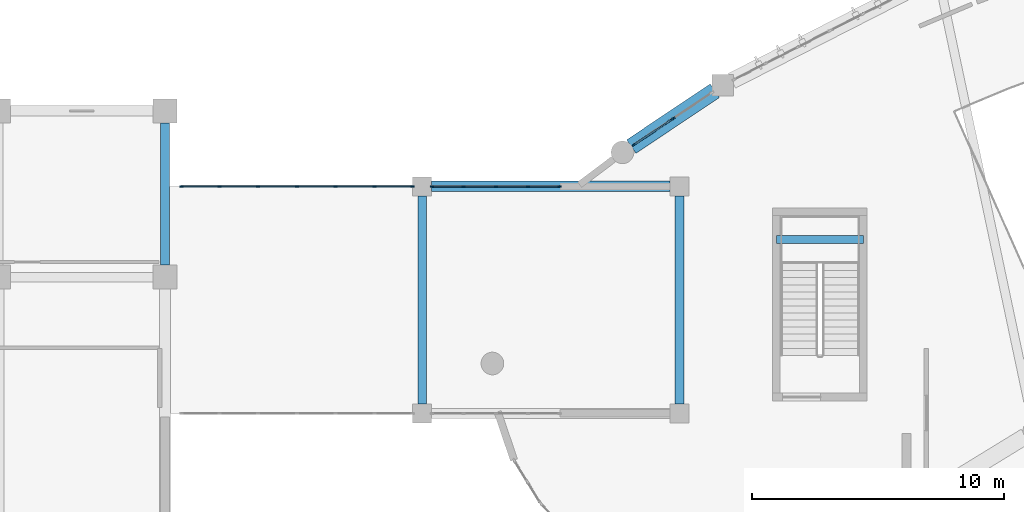
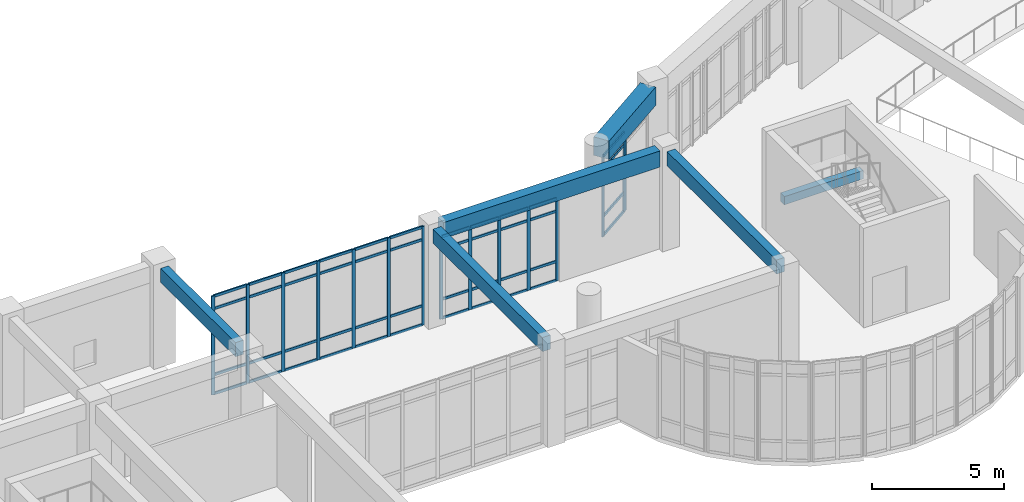
# One storey, part 9 of 68: 59 members, 6 beams, 4 elements without a shape of their own.
"""IFC4 building model written with IfcOpenShell, lengths in metres."""

import ifcopenshell
import ifcopenshell.guid

model = None  # the IFC model being written
_history = None  # IfcOwnerHistory: only IFC2X3 demands one
_inside = {}  # id of a spatial element -> (the spatial element, [elements in it])
_under = {}  # id of a project, library or spatial element -> (it, [spatial elements below it])
_declared = {}  # id of a project -> (the project, [libraries it declares])
_typed = {}  # id of a type object -> (the type object, [elements of that type])
_made_of = {}  # id of a material, layer set ... -> (it, [elements and type objects made of it])


def new_model(schema):
    """Start an empty IFC model of exactly this schema.

    Asked for "IFC4X3", IfcOpenShell would pick the latest addendum, in which some entities
    have other attributes; the version numbers below select the first issue.
    IFC2X3 requires an IfcOwnerHistory on every rooted entity: one is made here for all.
    """
    global model, _history
    if schema == "IFC4X3":
        model = ifcopenshell.file(schema_version=(4, 3, 0, 0))
    else:
        model = ifcopenshell.file(schema=schema)
    _inside.clear()
    _under.clear()
    _declared.clear()
    _typed.clear()
    _made_of.clear()
    _history = None
    if model.schema == "IFC2X3":
        org = make("IfcOrganization", Name="unknown")
        user = make(
            "IfcPersonAndOrganization",
            ThePerson=make("IfcPerson", FamilyName="unknown"),
            TheOrganization=org,
        )
        app = make(
            "IfcApplication",
            ApplicationDeveloper=org,
            Version="unknown",
            ApplicationFullName="unknown",
            ApplicationIdentifier="unknown",
        )
        _history = make(
            "IfcOwnerHistory",
            OwningUser=user,
            OwningApplication=app,
            ChangeAction="ADDED",
            CreationDate=0,
        )
    return model


def make(cls, **values):
    """One entity of the class cls with the attributes given. An attribute that is None is left unset."""
    return model.create_entity(
        cls, **{name: value for name, value in values.items() if value is not None}
    )


def rooted(cls, **values):
    """An entity with a GlobalId (a new one), such as an element, a storey or a relation."""
    return make(cls, GlobalId=ifcopenshell.guid.new(), OwnerHistory=_history, **values)


def si_unit(unit_type, name, prefix=None):
    """IfcSIUnit, for example si_unit("LENGTHUNIT", "METRE", prefix="MILLI")."""
    return make("IfcSIUnit", UnitType=unit_type, Prefix=prefix, Name=name)


def assignment(units):
    """IfcUnitAssignment: the units of a project."""
    return None if units is None else make("IfcUnitAssignment", Units=units)


def point(xyz):
    """IfcCartesianPoint."""
    return None if xyz is None else make("IfcCartesianPoint", Coordinates=xyz)


def direction(xyz):
    """IfcDirection."""
    return None if xyz is None else make("IfcDirection", DirectionRatios=xyz)


def frame(location, z_axis=None, x_axis=None):
    """IfcAxis2Placement3D, a coordinate frame: its origin and axes. An axis left out is left unset."""
    return make(
        "IfcAxis2Placement3D",
        Location=point(location),
        Axis=direction(z_axis),
        RefDirection=direction(x_axis),
    )


def frame_2d(location, x_axis=None):
    """IfcAxis2Placement2D, a coordinate frame in the plane: its origin and x axis."""
    return make(
        "IfcAxis2Placement2D", Location=point(location), RefDirection=direction(x_axis)
    )


def origin():
    """The frame at (0, 0, 0) with its axes left unset."""
    return frame((0.0, 0.0, 0.0))


def origin_2d():
    """The frame at (0, 0) in the plane with its x axis left unset."""
    return frame_2d((0.0, 0.0))


def place(relative_to, where):
    """IfcLocalPlacement: puts the frame where relative to a parent placement (None: the world)."""
    return make(
        "IfcLocalPlacement", PlacementRelTo=relative_to, RelativePlacement=where
    )


def context(
    kind, dimensions, precision=None, world=None, true_north=None, identifier=None
):
    """IfcGeometricRepresentationContext, for example the 3D "Model" context."""
    return make(
        "IfcGeometricRepresentationContext",
        ContextIdentifier=identifier,
        ContextType=kind,
        CoordinateSpaceDimension=dimensions,
        Precision=precision,
        WorldCoordinateSystem=world,
        TrueNorth=true_north,
    )


def subcontext(parent, identifier, kind, view, scale=None):
    """IfcGeometricRepresentationSubContext, for example "Body" below "Model"."""
    return make(
        "IfcGeometricRepresentationSubContext",
        ContextIdentifier=identifier,
        ContextType=kind,
        ParentContext=parent,
        TargetScale=scale,
        TargetView=view,
    )


def project(units=None, contexts=None):
    """IfcProject with its units and contexts."""
    return rooted(
        "IfcProject",
        Name="project",
        RepresentationContexts=contexts,
        UnitsInContext=assignment(units),
    )


def spatial(cls, under=None, at=None, **own):
    """A site, building, storey or space (cls), placed at a placement, below another one or the project."""
    s = rooted(cls, ObjectPlacement=at, **own)
    if under is not None:
        _under.setdefault(under.id(), (under, []))[1].append(s)
    return s


def profile(cls, at=None, kind="AREA", **sizes):
    """A parametric profile (cls). Its sizes go by their IFC names, for example OverallWidth=200.0."""
    return make(cls, ProfileType=kind, Position=at, **sizes)


def rectangle(**sizes):
    """IfcRectangleProfileDef."""
    return profile("IfcRectangleProfileDef", **sizes)


def extrude(swept, where, along, depth):
    """IfcExtrudedAreaSolid: the profile swept, set in the frame where, extruded along a direction by depth."""
    return make(
        "IfcExtrudedAreaSolid",
        SweptArea=swept,
        Position=where,
        ExtrudedDirection=direction(along),
        Depth=depth,
    )


def shape(context_of_items, identifier, shape_type, items):
    """IfcShapeRepresentation: the items that make up one representation, for example the "Body"."""
    return make(
        "IfcShapeRepresentation",
        ContextOfItems=context_of_items,
        RepresentationIdentifier=identifier,
        RepresentationType=shape_type,
        Items=items,
    )


def material(Name=None, Category=None):
    """IfcMaterial."""
    return make("IfcMaterial", Name=Name, Category=Category)


def layer(
    of_material, thickness, ventilated=None, Name=None, Category=None, Priority=None
):
    """IfcMaterialLayer: one layer of a wall or slab, of a material (None: an air gap)."""
    return make(
        "IfcMaterialLayer",
        Material=of_material,
        LayerThickness=thickness,
        IsVentilated=ventilated,
        Name=Name,
        Category=Category,
        Priority=Priority,
    )


def layer_set(layers, Name=None):
    """IfcMaterialLayerSet."""
    return make("IfcMaterialLayerSet", MaterialLayers=layers, LayerSetName=Name)


def material_profile(
    of_material, cross_section, Name=None, Category=None, Priority=None
):
    """IfcMaterialProfile: a cross section and its material."""
    return make(
        "IfcMaterialProfile",
        Name=Name,
        Material=of_material,
        Profile=cross_section,
        Priority=Priority,
        Category=Category,
    )


def profile_set(profiles, Name=None, composite=None):
    """IfcMaterialProfileSet."""
    return make(
        "IfcMaterialProfileSet",
        Name=Name,
        MaterialProfiles=profiles,
        CompositeProfile=composite,
    )


def made_of(thing, what):
    """Note that an element or type object is made of a material, layer set ...; save() writes the relation."""
    if what is not None:
        _made_of.setdefault(what.id(), (what, []))[1].append(thing)
    return thing


def type_object(cls, material=None, **own):
    """A type object (cls), such as IfcWallType, which elements share."""
    return made_of(rooted(cls, **own), material)


def element(
    cls,
    number,
    at=None,
    inside=None,
    cuts=None,
    type_object=None,
    material=None,
    context=None,
    identifier="Body",
    shape_type=None,
    held_by="IfcProductDefinitionShape",
    body=None,
    shapes=None,
    **own,
):
    """One element of the class cls, such as IfcWall. Its Tag is "e" and its number.

    at: its placement. inside: the storey or other place that contains it. cuts: it is an
    opening in that element (IfcRelVoidsElement). A single representation is given by context,
    identifier, shape_type and body (its items); several are given by shapes. held_by: the class
    of the entity that holds the representations. save() writes the other relations.
    """
    e = rooted(cls, Tag="e%d" % number, ObjectPlacement=at, **own)
    if body is not None:
        shapes = [shape(context, identifier, shape_type, body)]
    if shapes is not None:
        e.Representation = make(held_by, Representations=shapes)
    if inside is not None:
        _inside.setdefault(inside.id(), (inside, []))[1].append(e)
    if cuts is not None:
        rooted(
            "IfcRelVoidsElement", RelatingBuildingElement=cuts, RelatedOpeningElement=e
        )
    if type_object is not None:
        _typed.setdefault(type_object.id(), (type_object, []))[1].append(e)
    return made_of(e, material)


def aggregate(whole, parts):
    """IfcRelAggregates: a whole, such as a stair, and the parts it consists of."""
    return rooted("IfcRelAggregates", RelatingObject=whole, RelatedObjects=parts)


def save(model, path):
    """Write the relations noted so far, then the file.

    IfcRelAggregates (storeys below a building ...), IfcRelContainedInSpatialStructure (elements
    in a storey), IfcRelDefinesByType, IfcRelAssociatesMaterial and IfcRelDeclares: one each for
    every whole, place, type object, material and project.
    """
    for whole, parts in _under.values():
        aggregate(whole, parts)
    for where, things in _inside.values():
        rooted(
            "IfcRelContainedInSpatialStructure",
            RelatedElements=things,
            RelatingStructure=where,
        )
    for kind, things in _typed.values():
        rooted("IfcRelDefinesByType", RelatedObjects=things, RelatingType=kind)
    for what, things in _made_of.values():
        rooted("IfcRelAssociatesMaterial", RelatedObjects=things, RelatingMaterial=what)
    for by, libraries in _declared.values():
        rooted("IfcRelDeclares", RelatingContext=by, RelatedDefinitions=libraries)
    model.write(path)


model = new_model("IFC4")

# Units and contexts
model_context = context("Model", 3, precision=1e-05, world=origin(), true_north=direction((0.0, 1.0)))
body_context = subcontext(model_context, "Body", "Model", "MODEL_VIEW")
ifc_project = project(units=[si_unit("LENGTHUNIT", "METRE"), si_unit("AREAUNIT", "SQUARE_METRE"), si_unit("VOLUMEUNIT", "CUBIC_METRE"), si_unit("PLANEANGLEUNIT", "RADIAN"), si_unit("MASSUNIT", "GRAM", prefix="KILO")], contexts=[model_context])

# Site, building, storey
site_placement = place(None, origin())
site = spatial("IfcSite", under=ifc_project, at=site_placement, CompositionType="ELEMENT")
building_placement = place(site_placement, origin())
building = spatial("IfcBuilding", under=site, at=building_placement, Name="Miralva Faculty of Natural Sciences", CompositionType="ELEMENT")
storey_placement = place(building_placement, frame((0.0, 0.0, 5.39990234375)))
storey = spatial("IfcBuildingStorey", under=building, at=storey_placement, Name="L01", CompositionType="ELEMENT", Elevation=5.39990234375)

# Beams
ifc_material_1 = material(Name="Concrete C40/50", Category="concrete")
ifc_material_profile_1 = material_profile(ifc_material_1, rectangle(XDim=0.35009765625, YDim=0.64990234375, at=origin_2d()), Name="RC 350x650")
ifc_profile_set_1 = profile_set([ifc_material_profile_1], Name="Concrete C40/50")
beam_type_1 = type_object("IfcBeamType", Name="BM-B05", PredefinedType="BEAM", material=ifc_profile_set_1)
beam_1_placement = place(storey_placement, frame((36.0, 23.875, 4.235107421875), z_axis=(0.0, 1.0, 0.0), x_axis=(-1.0, 0.0, 0.0)))
element("IfcBeam", 1, at=beam_1_placement, inside=storey, type_object=beam_type_1, Name="Girder NS L01-145", PredefinedType="BEAM", context=body_context, shape_type="SweptSolid", body=[
    extrude(rectangle(XDim=0.35009765625, YDim=0.64990234375, at=origin_2d()), origin(), (0.0, 0.0, 1.0), 5.64990234375),
])
for number, where, z_axis, x_axis, name in (
    (2, (46.199951171875, 18.375, 4.235107421875), (0.0, 1.0, 0.0), (-1.0, 0.0, 0.0), "Girder NS L01-148"),
    (3, (56.39990234375, 18.375, 4.235107421875), (0.0, 1.0, 0.0), (-1.0, 0.0, 0.0), "Girder NS L01-151"),
):
    element("IfcBeam", number, at=place(storey_placement, frame(where, z_axis=z_axis, x_axis=x_axis)), inside=storey, type_object=beam_type_1, Name=name, PredefinedType="BEAM", context=body_context, shape_type="SweptSolid", body=[
        extrude(rectangle(XDim=0.35009765625, YDim=0.64990234375, at=origin_2d()), origin(), (0.0, 0.0, 1.0), 8.25),
    ])
ifc_material_profile_2 = material_profile(ifc_material_1, rectangle(XDim=0.419921875, YDim=0.739990234375, at=origin_2d()), Name="RC 420x740")
ifc_profile_set_2 = profile_set([ifc_material_profile_2], Name="Concrete C40/50")
beam_type_2 = type_object("IfcBeamType", Name="BM-BG11", PredefinedType="BEAM", material=ifc_profile_set_2)
beam_2_placement = place(storey_placement, frame((46.574951171875, 27.0, 4.190185546875), z_axis=(1.0, 0.0, 0.0), x_axis=(0.0, 1.0, 0.0)))
element("IfcBeam", 4, at=beam_2_placement, inside=storey, type_object=beam_type_2, Name="Girder EW L01-31", PredefinedType="BEAM", context=body_context, shape_type="SweptSolid", body=[
    extrude(rectangle(XDim=0.419921875, YDim=0.739990234375, at=origin_2d()), origin(), (0.0, 0.0, 1.0), 9.449951171875),
])
ifc_material_profile_3 = material_profile(ifc_material_1, rectangle(XDim=0.300048828125, YDim=0.3798828125, at=origin_2d()), Name="RC 300x380")
ifc_profile_set_3 = profile_set([ifc_material_profile_3], Name="Concrete C40/50")
beam_type_3 = type_object("IfcBeamType", Name="BM-LND01", PredefinedType="BEAM", material=ifc_profile_set_3)
beam_3_placement = place(storey_placement, frame((60.25, 24.89501953125, 2.02001953125), z_axis=(1.0, 0.0, 0.0), x_axis=(0.0, 1.0, 0.0)))
element("IfcBeam", 5, at=beam_3_placement, inside=storey, type_object=beam_type_3, Name="Stair Core C6 half-landing support beam L01", PredefinedType="BEAM", context=body_context, shape_type="SweptSolid", body=[
    extrude(rectangle(XDim=0.300048828125, YDim=0.3798828125, at=origin_2d()), origin(), (0.0, 0.0, 1.0), 3.449951171875),
])
ifc_material_profile_4 = material_profile(ifc_material_1, rectangle(XDim=0.64990234375, YDim=0.85009765625, at=origin_2d()), Name="RC 650x850")
ifc_profile_set_4 = profile_set([ifc_material_profile_4], Name="Concrete C40/50")
beam_type_4 = type_object("IfcBeamType", Name="BM-SP03", PredefinedType="SPANDREL", material=ifc_profile_set_4)
beam_4_placement = place(storey_placement, frame((57.804931640625, 30.792724609375, 4.135009765625), z_axis=(-0.831417795146, -0.555647775047, 0.0), x_axis=(0.555647775047, -0.831417795146, 0.0)))
element("IfcBeam", 6, at=beam_4_placement, inside=storey, type_object=beam_type_4, Name="Curved chord girder SHOUT L01-9", PredefinedType="SPANDREL", context=body_context, shape_type="SweptSolid", body=[
    extrude(rectangle(XDim=0.64990234375, YDim=0.85009765625, at=origin_2d()), origin(), (0.0, 0.0, 1.0), 3.982177734375),
])

# Curtain wall, members
ifc_material_2 = material(Name="Laminated solar-control glass", Category="glass")
ifc_layer_1 = layer(ifc_material_2, 0.179931640625, Name="CW-ARC-L01")
ifc_layer_set_1 = layer_set([ifc_layer_1], Name="Laminated solar-control glass")
curtain_wall_type_1 = type_object("IfcCurtainWallType", Name="CW-ARC-L01", PredefinedType="USERDEFINED", material=ifc_layer_set_1)
curtain_wall_1_placement = place(storey_placement, origin())
curtain_wall_1 = element("IfcCurtainWall", 7, at=curtain_wall_1_placement, inside=storey, type_object=curtain_wall_type_1, Name="Curtain wall CW-02 L01-31", ObjectType="UNITISED CURTAIN WALL", PredefinedType="USERDEFINED")
ifc_material_3 = material(Name="Anodised aluminium", Category="aluminium")
ifc_material_profile_5 = material_profile(ifc_material_3, rectangle(XDim=0.06494140625, YDim=0.159912109375, at=origin_2d()), Name="MULLION 65x160")
ifc_profile_set_5 = profile_set([ifc_material_profile_5], Name="Anodised aluminium")
member_type_1 = type_object("IfcMemberType", Name="CW-M02", PredefinedType="MULLION", material=ifc_profile_set_5)
member_1_placement = place(storey_placement, frame((54.608642578125, 28.65966796875, 0.0), z_axis=(0.0, 0.0, 1.0), x_axis=(-0.555563826036, 0.831473893276, 0.0)))
member_1 = element("IfcMember", 8, at=member_1_placement, type_object=member_type_1, Name="CW-02 mullion 1", PredefinedType="MULLION", context=body_context, shape_type="SweptSolid", body=[
    extrude(rectangle(XDim=0.06494140625, YDim=0.159912109375, at=origin_2d()), origin(), (0.0, 0.0, 1.0), 3.705078125),
])
member_2_placement = place(storey_placement, frame((56.109375, 29.662353515625, 0.0), z_axis=(0.0, 0.0, 1.0), x_axis=(-0.555563826036, 0.831473893276, 0.0)))
member_2 = element("IfcMember", 9, at=member_2_placement, type_object=member_type_1, Name="CW-02 mullion 2", PredefinedType="MULLION", context=body_context, shape_type="SweptSolid", body=[
    extrude(rectangle(XDim=0.06494140625, YDim=0.159912109375, at=origin_2d()), origin(), (0.0, 0.0, 1.0), 3.705078125),
])

# Curtain wall, member
curtain_wall_2_placement = place(storey_placement, origin())
curtain_wall_2 = element("IfcCurtainWall", 10, at=curtain_wall_2_placement, inside=storey, type_object=curtain_wall_type_1, Name="Curtain wall CW-02 L01-32", ObjectType="UNITISED CURTAIN WALL", PredefinedType="USERDEFINED")
member_3_placement = place(storey_placement, frame((56.1591796875, 29.69580078125, 0.0), z_axis=(0.0, 0.0, 1.0), x_axis=(-0.555560018644, 0.831476437239, 0.0)))
member_3 = element("IfcMember", 11, at=member_3_placement, type_object=member_type_1, Name="CW-02 mullion 1", PredefinedType="MULLION", context=body_context, shape_type="SweptSolid", body=[
    extrude(rectangle(XDim=0.06494140625, YDim=0.159912109375, at=origin_2d()), origin(), (0.0, 0.0, 1.0), 3.705078125),
])
aggregate(curtain_wall_2, [member_3])

# Curtain wall, members
ifc_layer_2 = layer(ifc_material_2, 0.179931640625, Name="CW-COM-L01")
ifc_layer_set_2 = layer_set([ifc_layer_2], Name="Laminated solar-control glass")
curtain_wall_type_2 = type_object("IfcCurtainWallType", Name="CW-COM-L01", PredefinedType="USERDEFINED", material=ifc_layer_set_2)
curtain_wall_3_placement = place(storey_placement, origin())
curtain_wall_3 = element("IfcCurtainWall", 12, at=curtain_wall_3_placement, inside=storey, type_object=curtain_wall_type_2, Name="Curtain wall CW-10 L01-291", ObjectType="UNITISED CURTAIN WALL", PredefinedType="USERDEFINED")
ifc_material_profile_6 = material_profile(ifc_material_3, rectangle(XDim=0.06005859375, YDim=0.139892578125, at=origin_2d()), Name="MULLION 60x140")
ifc_profile_set_6 = profile_set([ifc_material_profile_6], Name="Anodised aluminium")
member_type_2 = type_object("IfcMemberType", Name="CW-M03", PredefinedType="MULLION", material=ifc_profile_set_6)
member_4_placement = place(storey_placement, frame((36.64990234375, 27.0, 0.0), z_axis=(0.0, 0.0, 1.0), x_axis=(0.0, 1.0, 0.0)))
member_4 = element("IfcMember", 13, at=member_4_placement, type_object=member_type_2, Name="CW-10 mullion 1", PredefinedType="MULLION", context=body_context, shape_type="SweptSolid", body=[
    extrude(rectangle(XDim=0.06005859375, YDim=0.139892578125, at=origin_2d()), origin(), (0.0, 0.0, 1.0), 4.550048828125),
])
member_5_placement = place(storey_placement, frame((38.157470703125, 27.0, 0.0), z_axis=(0.0, 0.0, 1.0), x_axis=(0.0, 1.0, 0.0)))
member_5 = element("IfcMember", 14, at=member_5_placement, type_object=member_type_2, Name="CW-10 mullion 2", PredefinedType="MULLION", context=body_context, shape_type="SweptSolid", body=[
    extrude(rectangle(XDim=0.06005859375, YDim=0.139892578125, at=origin_2d()), origin(), (0.0, 0.0, 1.0), 4.550048828125),
])
member_6_placement = place(storey_placement, frame((39.695068359375, 27.0, 0.0), z_axis=(0.0, 0.0, 1.0), x_axis=(0.0, 1.0, 0.0)))
member_6 = element("IfcMember", 15, at=member_6_placement, type_object=member_type_2, Name="CW-10 mullion 3", PredefinedType="MULLION", context=body_context, shape_type="SweptSolid", body=[
    extrude(rectangle(XDim=0.06005859375, YDim=0.139892578125, at=origin_2d()), origin(), (0.0, 0.0, 1.0), 4.550048828125),
])
member_7_placement = place(storey_placement, frame((41.232421875, 27.0, 0.0), z_axis=(0.0, 0.0, 1.0), x_axis=(0.0, 1.0, 0.0)))
member_7 = element("IfcMember", 16, at=member_7_placement, type_object=member_type_2, Name="CW-10 mullion 4", PredefinedType="MULLION", context=body_context, shape_type="SweptSolid", body=[
    extrude(rectangle(XDim=0.06005859375, YDim=0.139892578125, at=origin_2d()), origin(), (0.0, 0.0, 1.0), 4.550048828125),
])
member_8_placement = place(storey_placement, frame((42.77001953125, 27.0, 0.0), z_axis=(0.0, 0.0, 1.0), x_axis=(0.0, 1.0, 0.0)))
member_8 = element("IfcMember", 17, at=member_8_placement, type_object=member_type_2, Name="CW-10 mullion 5", PredefinedType="MULLION", context=body_context, shape_type="SweptSolid", body=[
    extrude(rectangle(XDim=0.06005859375, YDim=0.139892578125, at=origin_2d()), origin(), (0.0, 0.0, 1.0), 4.550048828125),
])
member_9_placement = place(storey_placement, frame((44.3076171875, 27.0, 0.0), z_axis=(0.0, 0.0, 1.0), x_axis=(0.0, 1.0, 0.0)))
member_9 = element("IfcMember", 18, at=member_9_placement, type_object=member_type_2, Name="CW-10 mullion 6", PredefinedType="MULLION", context=body_context, shape_type="SweptSolid", body=[
    extrude(rectangle(XDim=0.06005859375, YDim=0.139892578125, at=origin_2d()), origin(), (0.0, 0.0, 1.0), 4.550048828125),
])
member_10_placement = place(storey_placement, frame((45.81494140625, 27.0, 0.0), z_axis=(0.0, 0.0, 1.0), x_axis=(0.0, 1.0, 0.0)))
member_10 = element("IfcMember", 19, at=member_10_placement, type_object=member_type_2, Name="CW-10 mullion 7", PredefinedType="MULLION", context=body_context, shape_type="SweptSolid", body=[
    extrude(rectangle(XDim=0.06005859375, YDim=0.139892578125, at=origin_2d()), origin(), (0.0, 0.0, 1.0), 4.550048828125),
])

curtain_wall_4_placement = place(storey_placement, origin())
curtain_wall_4 = element("IfcCurtainWall", 20, at=curtain_wall_4_placement, inside=storey, type_object=curtain_wall_type_2, Name="Curtain wall CW-10 L01-292", ObjectType="UNITISED CURTAIN WALL", PredefinedType="USERDEFINED")
member_11_placement = place(storey_placement, frame((46.594970703125, 27.0, 0.0), z_axis=(0.0, 0.0, 1.0), x_axis=(0.0, 1.0, 0.0)))
member_11 = element("IfcMember", 21, at=member_11_placement, type_object=member_type_2, Name="CW-10 mullion 1", PredefinedType="MULLION", context=body_context, shape_type="SweptSolid", body=[
    extrude(rectangle(XDim=0.06005859375, YDim=0.139892578125, at=origin_2d()), origin(), (0.0, 0.0, 1.0), 3.815185546875),
])
member_12_placement = place(storey_placement, frame((47.84375, 27.0, 0.0), z_axis=(0.0, 0.0, 1.0), x_axis=(0.0, 1.0, 0.0)))
member_12 = element("IfcMember", 22, at=member_12_placement, type_object=member_type_2, Name="CW-10 mullion 2", PredefinedType="MULLION", context=body_context, shape_type="SweptSolid", body=[
    extrude(rectangle(XDim=0.06005859375, YDim=0.139892578125, at=origin_2d()), origin(), (0.0, 0.0, 1.0), 3.815185546875),
])
member_13_placement = place(storey_placement, frame((49.12255859375, 27.0, 0.0), z_axis=(0.0, 0.0, 1.0), x_axis=(0.0, 1.0, 0.0)))
member_13 = element("IfcMember", 23, at=member_13_placement, type_object=member_type_2, Name="CW-10 mullion 3", PredefinedType="MULLION", context=body_context, shape_type="SweptSolid", body=[
    extrude(rectangle(XDim=0.06005859375, YDim=0.139892578125, at=origin_2d()), origin(), (0.0, 0.0, 1.0), 3.815185546875),
])
member_14_placement = place(storey_placement, frame((50.4013671875, 27.0, 0.0), z_axis=(0.0, 0.0, 1.0), x_axis=(0.0, 1.0, 0.0)))
member_14 = element("IfcMember", 24, at=member_14_placement, type_object=member_type_2, Name="CW-10 mullion 4", PredefinedType="MULLION", context=body_context, shape_type="SweptSolid", body=[
    extrude(rectangle(XDim=0.06005859375, YDim=0.139892578125, at=origin_2d()), origin(), (0.0, 0.0, 1.0), 3.815185546875),
])
member_15_placement = place(storey_placement, frame((51.64990234375, 27.0, 0.0), z_axis=(0.0, 0.0, 1.0), x_axis=(0.0, 1.0, 0.0)))
member_15 = element("IfcMember", 25, at=member_15_placement, type_object=member_type_2, Name="CW-10 mullion 5", PredefinedType="MULLION", context=body_context, shape_type="SweptSolid", body=[
    extrude(rectangle(XDim=0.06005859375, YDim=0.139892578125, at=origin_2d()), origin(), (0.0, 0.0, 1.0), 3.815185546875),
])

# Member
ifc_material_profile_7 = material_profile(ifc_material_3, rectangle(XDim=0.06005859375, YDim=0.1201171875, at=origin_2d()), Name="TRANSOM 60x120")
ifc_profile_set_7 = profile_set([ifc_material_profile_7], Name="Anodised aluminium")
member_type_3 = type_object("IfcMemberType", Name="CW-T02", PredefinedType="USERDEFINED", material=ifc_profile_set_7)
member_16_placement = place(storey_placement, frame((54.6357421875, 28.677734375, 0.030029296875), z_axis=(0.8314669175, 0.555574266056, 0.0), x_axis=(-0.555574266056, 0.8314669175, 0.0)))
member_16 = element("IfcMember", 26, at=member_16_placement, type_object=member_type_3, Name="CW-02 transom 1.1", ObjectType="TRANSOM", PredefinedType="USERDEFINED", context=body_context, shape_type="SweptSolid", body=[
    extrude(rectangle(XDim=0.06005859375, YDim=0.1201171875, at=origin_2d()), origin(), (0.0, 0.0, 1.0), 1.73974609375),
])

member_17_placement = place(storey_placement, frame((54.6357421875, 28.677734375, 0.900146484375), z_axis=(0.8314669175, 0.555574266056, 0.0), x_axis=(-0.555574266056, 0.8314669175, 0.0)))
member_17 = element("IfcMember", 27, at=member_17_placement, type_object=member_type_3, Name="CW-02 transom 1.2", ObjectType="TRANSOM", PredefinedType="USERDEFINED", context=body_context, shape_type="SweptSolid", body=[
    extrude(rectangle(XDim=0.06005859375, YDim=0.1201171875, at=origin_2d()), origin(), (0.0, 0.0, 1.0), 1.73974609375),
])

member_18_placement = place(storey_placement, frame((54.6357421875, 28.677734375, 3.10498046875), z_axis=(0.8314669175, 0.555574266056, 0.0), x_axis=(-0.555574266056, 0.8314669175, 0.0)))
member_18 = element("IfcMember", 28, at=member_18_placement, type_object=member_type_3, Name="CW-02 transom 1.3", ObjectType="TRANSOM", PredefinedType="USERDEFINED", context=body_context, shape_type="SweptSolid", body=[
    extrude(rectangle(XDim=0.06005859375, YDim=0.1201171875, at=origin_2d()), origin(), (0.0, 0.0, 1.0), 1.73974609375),
])

member_19_placement = place(storey_placement, frame((54.6357421875, 28.677734375, 3.675048828125), z_axis=(0.8314669175, 0.555574266056, 0.0), x_axis=(-0.555574266056, 0.8314669175, 0.0)))
member_19 = element("IfcMember", 29, at=member_19_placement, type_object=member_type_3, Name="CW-02 transom 1.4", ObjectType="TRANSOM", PredefinedType="USERDEFINED", context=body_context, shape_type="SweptSolid", body=[
    extrude(rectangle(XDim=0.06005859375, YDim=0.1201171875, at=origin_2d()), origin(), (0.0, 0.0, 1.0), 1.73974609375),
])

aggregate(curtain_wall_1, [member_1, member_2, member_16, member_17, member_18, member_19])

member_20_placement = place(storey_placement, frame((36.679931640625, 27.0, 0.030029296875), z_axis=(1.0, 0.0, 0.0), x_axis=(0.0, 1.0, 0.0)))
member_20 = element("IfcMember", 30, at=member_20_placement, type_object=member_type_3, Name="CW-10 transom 1.1", ObjectType="TRANSOM", PredefinedType="USERDEFINED", context=body_context, shape_type="SweptSolid", body=[
    extrude(rectangle(XDim=0.06005859375, YDim=0.1201171875, at=origin_2d()), origin(), (0.0, 0.0, 1.0), 1.447509765625),
])

member_21_placement = place(storey_placement, frame((36.679931640625, 27.0, 0.900146484375), z_axis=(1.0, 0.0, 0.0), x_axis=(0.0, 1.0, 0.0)))
member_21 = element("IfcMember", 31, at=member_21_placement, type_object=member_type_3, Name="CW-10 transom 1.2", ObjectType="TRANSOM", PredefinedType="USERDEFINED", context=body_context, shape_type="SweptSolid", body=[
    extrude(rectangle(XDim=0.06005859375, YDim=0.1201171875, at=origin_2d()), origin(), (0.0, 0.0, 1.0), 1.447509765625),
])

member_22_placement = place(storey_placement, frame((36.679931640625, 27.0, 3.9501953125), z_axis=(1.0, 0.0, 0.0), x_axis=(0.0, 1.0, 0.0)))
member_22 = element("IfcMember", 32, at=member_22_placement, type_object=member_type_3, Name="CW-10 transom 1.3", ObjectType="TRANSOM", PredefinedType="USERDEFINED", context=body_context, shape_type="SweptSolid", body=[
    extrude(rectangle(XDim=0.06005859375, YDim=0.1201171875, at=origin_2d()), origin(), (0.0, 0.0, 1.0), 1.447509765625),
])

member_23_placement = place(storey_placement, frame((36.679931640625, 27.0, 4.52001953125), z_axis=(1.0, 0.0, 0.0), x_axis=(0.0, 1.0, 0.0)))
member_23 = element("IfcMember", 33, at=member_23_placement, type_object=member_type_3, Name="CW-10 transom 1.4", ObjectType="TRANSOM", PredefinedType="USERDEFINED", context=body_context, shape_type="SweptSolid", body=[
    extrude(rectangle(XDim=0.06005859375, YDim=0.1201171875, at=origin_2d()), origin(), (0.0, 0.0, 1.0), 1.447509765625),
])

member_24_placement = place(storey_placement, frame((38.1875, 27.0, 0.030029296875), z_axis=(1.0, 0.0, 0.0), x_axis=(0.0, 1.0, 0.0)))
member_24 = element("IfcMember", 34, at=member_24_placement, type_object=member_type_3, Name="CW-10 transom 2.1", ObjectType="TRANSOM", PredefinedType="USERDEFINED", context=body_context, shape_type="SweptSolid", body=[
    extrude(rectangle(XDim=0.06005859375, YDim=0.1201171875, at=origin_2d()), origin(), (0.0, 0.0, 1.0), 1.4775390625),
])

member_25_placement = place(storey_placement, frame((38.1875, 27.0, 0.900146484375), z_axis=(1.0, 0.0, 0.0), x_axis=(0.0, 1.0, 0.0)))
member_25 = element("IfcMember", 35, at=member_25_placement, type_object=member_type_3, Name="CW-10 transom 2.2", ObjectType="TRANSOM", PredefinedType="USERDEFINED", context=body_context, shape_type="SweptSolid", body=[
    extrude(rectangle(XDim=0.06005859375, YDim=0.1201171875, at=origin_2d()), origin(), (0.0, 0.0, 1.0), 1.4775390625),
])

member_26_placement = place(storey_placement, frame((38.1875, 27.0, 3.9501953125), z_axis=(1.0, 0.0, 0.0), x_axis=(0.0, 1.0, 0.0)))
member_26 = element("IfcMember", 36, at=member_26_placement, type_object=member_type_3, Name="CW-10 transom 2.3", ObjectType="TRANSOM", PredefinedType="USERDEFINED", context=body_context, shape_type="SweptSolid", body=[
    extrude(rectangle(XDim=0.06005859375, YDim=0.1201171875, at=origin_2d()), origin(), (0.0, 0.0, 1.0), 1.4775390625),
])

member_27_placement = place(storey_placement, frame((38.1875, 27.0, 4.52001953125), z_axis=(1.0, 0.0, 0.0), x_axis=(0.0, 1.0, 0.0)))
member_27 = element("IfcMember", 37, at=member_27_placement, type_object=member_type_3, Name="CW-10 transom 2.4", ObjectType="TRANSOM", PredefinedType="USERDEFINED", context=body_context, shape_type="SweptSolid", body=[
    extrude(rectangle(XDim=0.06005859375, YDim=0.1201171875, at=origin_2d()), origin(), (0.0, 0.0, 1.0), 1.4775390625),
])

member_28_placement = place(storey_placement, frame((39.72509765625, 27.0, 0.030029296875), z_axis=(1.0, 0.0, 0.0), x_axis=(0.0, 1.0, 0.0)))
member_28 = element("IfcMember", 38, at=member_28_placement, type_object=member_type_3, Name="CW-10 transom 3.1", ObjectType="TRANSOM", PredefinedType="USERDEFINED", context=body_context, shape_type="SweptSolid", body=[
    extrude(rectangle(XDim=0.06005859375, YDim=0.1201171875, at=origin_2d()), origin(), (0.0, 0.0, 1.0), 1.477294921875),
])

member_29_placement = place(storey_placement, frame((39.72509765625, 27.0, 0.900146484375), z_axis=(1.0, 0.0, 0.0), x_axis=(0.0, 1.0, 0.0)))
member_29 = element("IfcMember", 39, at=member_29_placement, type_object=member_type_3, Name="CW-10 transom 3.2", ObjectType="TRANSOM", PredefinedType="USERDEFINED", context=body_context, shape_type="SweptSolid", body=[
    extrude(rectangle(XDim=0.06005859375, YDim=0.1201171875, at=origin_2d()), origin(), (0.0, 0.0, 1.0), 1.477294921875),
])

member_30_placement = place(storey_placement, frame((39.72509765625, 27.0, 3.9501953125), z_axis=(1.0, 0.0, 0.0), x_axis=(0.0, 1.0, 0.0)))
member_30 = element("IfcMember", 40, at=member_30_placement, type_object=member_type_3, Name="CW-10 transom 3.3", ObjectType="TRANSOM", PredefinedType="USERDEFINED", context=body_context, shape_type="SweptSolid", body=[
    extrude(rectangle(XDim=0.06005859375, YDim=0.1201171875, at=origin_2d()), origin(), (0.0, 0.0, 1.0), 1.477294921875),
])

member_31_placement = place(storey_placement, frame((39.72509765625, 27.0, 4.52001953125), z_axis=(1.0, 0.0, 0.0), x_axis=(0.0, 1.0, 0.0)))
member_31 = element("IfcMember", 41, at=member_31_placement, type_object=member_type_3, Name="CW-10 transom 3.4", ObjectType="TRANSOM", PredefinedType="USERDEFINED", context=body_context, shape_type="SweptSolid", body=[
    extrude(rectangle(XDim=0.06005859375, YDim=0.1201171875, at=origin_2d()), origin(), (0.0, 0.0, 1.0), 1.477294921875),
])

member_32_placement = place(storey_placement, frame((41.262451171875, 27.0, 0.030029296875), z_axis=(1.0, 0.0, 0.0), x_axis=(0.0, 1.0, 0.0)))
member_32 = element("IfcMember", 42, at=member_32_placement, type_object=member_type_3, Name="CW-10 transom 4.1", ObjectType="TRANSOM", PredefinedType="USERDEFINED", context=body_context, shape_type="SweptSolid", body=[
    extrude(rectangle(XDim=0.06005859375, YDim=0.1201171875, at=origin_2d()), origin(), (0.0, 0.0, 1.0), 1.4775390625),
])

member_33_placement = place(storey_placement, frame((41.262451171875, 27.0, 0.900146484375), z_axis=(1.0, 0.0, 0.0), x_axis=(0.0, 1.0, 0.0)))
member_33 = element("IfcMember", 43, at=member_33_placement, type_object=member_type_3, Name="CW-10 transom 4.2", ObjectType="TRANSOM", PredefinedType="USERDEFINED", context=body_context, shape_type="SweptSolid", body=[
    extrude(rectangle(XDim=0.06005859375, YDim=0.1201171875, at=origin_2d()), origin(), (0.0, 0.0, 1.0), 1.4775390625),
])

member_34_placement = place(storey_placement, frame((41.262451171875, 27.0, 3.9501953125), z_axis=(1.0, 0.0, 0.0), x_axis=(0.0, 1.0, 0.0)))
member_34 = element("IfcMember", 44, at=member_34_placement, type_object=member_type_3, Name="CW-10 transom 4.3", ObjectType="TRANSOM", PredefinedType="USERDEFINED", context=body_context, shape_type="SweptSolid", body=[
    extrude(rectangle(XDim=0.06005859375, YDim=0.1201171875, at=origin_2d()), origin(), (0.0, 0.0, 1.0), 1.4775390625),
])

member_35_placement = place(storey_placement, frame((41.262451171875, 27.0, 4.52001953125), z_axis=(1.0, 0.0, 0.0), x_axis=(0.0, 1.0, 0.0)))
member_35 = element("IfcMember", 45, at=member_35_placement, type_object=member_type_3, Name="CW-10 transom 4.4", ObjectType="TRANSOM", PredefinedType="USERDEFINED", context=body_context, shape_type="SweptSolid", body=[
    extrude(rectangle(XDim=0.06005859375, YDim=0.1201171875, at=origin_2d()), origin(), (0.0, 0.0, 1.0), 1.4775390625),
])

member_36_placement = place(storey_placement, frame((42.800048828125, 27.0, 0.030029296875), z_axis=(1.0, 0.0, 0.0), x_axis=(0.0, 1.0, 0.0)))
member_36 = element("IfcMember", 46, at=member_36_placement, type_object=member_type_3, Name="CW-10 transom 5.1", ObjectType="TRANSOM", PredefinedType="USERDEFINED", context=body_context, shape_type="SweptSolid", body=[
    extrude(rectangle(XDim=0.06005859375, YDim=0.1201171875, at=origin_2d()), origin(), (0.0, 0.0, 1.0), 1.4775390625),
])

member_37_placement = place(storey_placement, frame((42.800048828125, 27.0, 0.900146484375), z_axis=(1.0, 0.0, 0.0), x_axis=(0.0, 1.0, 0.0)))
member_37 = element("IfcMember", 47, at=member_37_placement, type_object=member_type_3, Name="CW-10 transom 5.2", ObjectType="TRANSOM", PredefinedType="USERDEFINED", context=body_context, shape_type="SweptSolid", body=[
    extrude(rectangle(XDim=0.06005859375, YDim=0.1201171875, at=origin_2d()), origin(), (0.0, 0.0, 1.0), 1.4775390625),
])

member_38_placement = place(storey_placement, frame((42.800048828125, 27.0, 3.9501953125), z_axis=(1.0, 0.0, 0.0), x_axis=(0.0, 1.0, 0.0)))
member_38 = element("IfcMember", 48, at=member_38_placement, type_object=member_type_3, Name="CW-10 transom 5.3", ObjectType="TRANSOM", PredefinedType="USERDEFINED", context=body_context, shape_type="SweptSolid", body=[
    extrude(rectangle(XDim=0.06005859375, YDim=0.1201171875, at=origin_2d()), origin(), (0.0, 0.0, 1.0), 1.4775390625),
])

member_39_placement = place(storey_placement, frame((42.800048828125, 27.0, 4.52001953125), z_axis=(1.0, 0.0, 0.0), x_axis=(0.0, 1.0, 0.0)))
member_39 = element("IfcMember", 49, at=member_39_placement, type_object=member_type_3, Name="CW-10 transom 5.4", ObjectType="TRANSOM", PredefinedType="USERDEFINED", context=body_context, shape_type="SweptSolid", body=[
    extrude(rectangle(XDim=0.06005859375, YDim=0.1201171875, at=origin_2d()), origin(), (0.0, 0.0, 1.0), 1.4775390625),
])

member_40_placement = place(storey_placement, frame((44.33740234375, 27.0, 0.030029296875), z_axis=(1.0, 0.0, 0.0), x_axis=(0.0, 1.0, 0.0)))
member_40 = element("IfcMember", 50, at=member_40_placement, type_object=member_type_3, Name="CW-10 transom 6.1", ObjectType="TRANSOM", PredefinedType="USERDEFINED", context=body_context, shape_type="SweptSolid", body=[
    extrude(rectangle(XDim=0.06005859375, YDim=0.1201171875, at=origin_2d()), origin(), (0.0, 0.0, 1.0), 1.447509765625),
])

member_41_placement = place(storey_placement, frame((44.33740234375, 27.0, 0.900146484375), z_axis=(1.0, 0.0, 0.0), x_axis=(0.0, 1.0, 0.0)))
member_41 = element("IfcMember", 51, at=member_41_placement, type_object=member_type_3, Name="CW-10 transom 6.2", ObjectType="TRANSOM", PredefinedType="USERDEFINED", context=body_context, shape_type="SweptSolid", body=[
    extrude(rectangle(XDim=0.06005859375, YDim=0.1201171875, at=origin_2d()), origin(), (0.0, 0.0, 1.0), 1.447509765625),
])

member_42_placement = place(storey_placement, frame((44.33740234375, 27.0, 3.9501953125), z_axis=(1.0, 0.0, 0.0), x_axis=(0.0, 1.0, 0.0)))
member_42 = element("IfcMember", 52, at=member_42_placement, type_object=member_type_3, Name="CW-10 transom 6.3", ObjectType="TRANSOM", PredefinedType="USERDEFINED", context=body_context, shape_type="SweptSolid", body=[
    extrude(rectangle(XDim=0.06005859375, YDim=0.1201171875, at=origin_2d()), origin(), (0.0, 0.0, 1.0), 1.447509765625),
])

member_43_placement = place(storey_placement, frame((44.33740234375, 27.0, 4.52001953125), z_axis=(1.0, 0.0, 0.0), x_axis=(0.0, 1.0, 0.0)))
member_43 = element("IfcMember", 53, at=member_43_placement, type_object=member_type_3, Name="CW-10 transom 6.4", ObjectType="TRANSOM", PredefinedType="USERDEFINED", context=body_context, shape_type="SweptSolid", body=[
    extrude(rectangle(XDim=0.06005859375, YDim=0.1201171875, at=origin_2d()), origin(), (0.0, 0.0, 1.0), 1.447509765625),
])

aggregate(curtain_wall_3, [member_4, member_5, member_6, member_7, member_8, member_9, member_10, member_20, member_21, member_22, member_23, member_24, member_25, member_26, member_27, member_28, member_29, member_30, member_31, member_32, member_33, member_34, member_35, member_36, member_37, member_38, member_39, member_40, member_41, member_42, member_43])

member_44_placement = place(storey_placement, frame((46.625, 27.0, 0.030029296875), z_axis=(1.0, 0.0, 0.0), x_axis=(0.0, 1.0, 0.0)))
member_44 = element("IfcMember", 54, at=member_44_placement, type_object=member_type_3, Name="CW-10 transom 1.1", ObjectType="TRANSOM", PredefinedType="USERDEFINED", context=body_context, shape_type="SweptSolid", body=[
    extrude(rectangle(XDim=0.06005859375, YDim=0.1201171875, at=origin_2d()), origin(), (0.0, 0.0, 1.0), 1.188720703125),
])

member_45_placement = place(storey_placement, frame((46.625, 27.0, 0.900146484375), z_axis=(1.0, 0.0, 0.0), x_axis=(0.0, 1.0, 0.0)))
member_45 = element("IfcMember", 55, at=member_45_placement, type_object=member_type_3, Name="CW-10 transom 1.2", ObjectType="TRANSOM", PredefinedType="USERDEFINED", context=body_context, shape_type="SweptSolid", body=[
    extrude(rectangle(XDim=0.06005859375, YDim=0.1201171875, at=origin_2d()), origin(), (0.0, 0.0, 1.0), 1.188720703125),
])

member_46_placement = place(storey_placement, frame((46.625, 27.0, 3.215087890625), z_axis=(1.0, 0.0, 0.0), x_axis=(0.0, 1.0, 0.0)))
member_46 = element("IfcMember", 56, at=member_46_placement, type_object=member_type_3, Name="CW-10 transom 1.3", ObjectType="TRANSOM", PredefinedType="USERDEFINED", context=body_context, shape_type="SweptSolid", body=[
    extrude(rectangle(XDim=0.06005859375, YDim=0.1201171875, at=origin_2d()), origin(), (0.0, 0.0, 1.0), 1.188720703125),
])

member_47_placement = place(storey_placement, frame((46.625, 27.0, 3.78515625), z_axis=(1.0, 0.0, 0.0), x_axis=(0.0, 1.0, 0.0)))
member_47 = element("IfcMember", 57, at=member_47_placement, type_object=member_type_3, Name="CW-10 transom 1.4", ObjectType="TRANSOM", PredefinedType="USERDEFINED", context=body_context, shape_type="SweptSolid", body=[
    extrude(rectangle(XDim=0.06005859375, YDim=0.1201171875, at=origin_2d()), origin(), (0.0, 0.0, 1.0), 1.188720703125),
])

member_48_placement = place(storey_placement, frame((47.873779296875, 27.0, 0.030029296875), z_axis=(1.0, 0.0, 0.0), x_axis=(0.0, 1.0, 0.0)))
member_48 = element("IfcMember", 58, at=member_48_placement, type_object=member_type_3, Name="CW-10 transom 2.1", ObjectType="TRANSOM", PredefinedType="USERDEFINED", context=body_context, shape_type="SweptSolid", body=[
    extrude(rectangle(XDim=0.06005859375, YDim=0.1201171875, at=origin_2d()), origin(), (0.0, 0.0, 1.0), 1.21875),
])

member_49_placement = place(storey_placement, frame((47.873779296875, 27.0, 0.900146484375), z_axis=(1.0, 0.0, 0.0), x_axis=(0.0, 1.0, 0.0)))
member_49 = element("IfcMember", 59, at=member_49_placement, type_object=member_type_3, Name="CW-10 transom 2.2", ObjectType="TRANSOM", PredefinedType="USERDEFINED", context=body_context, shape_type="SweptSolid", body=[
    extrude(rectangle(XDim=0.06005859375, YDim=0.1201171875, at=origin_2d()), origin(), (0.0, 0.0, 1.0), 1.21875),
])

member_50_placement = place(storey_placement, frame((47.873779296875, 27.0, 3.215087890625), z_axis=(1.0, 0.0, 0.0), x_axis=(0.0, 1.0, 0.0)))
member_50 = element("IfcMember", 60, at=member_50_placement, type_object=member_type_3, Name="CW-10 transom 2.3", ObjectType="TRANSOM", PredefinedType="USERDEFINED", context=body_context, shape_type="SweptSolid", body=[
    extrude(rectangle(XDim=0.06005859375, YDim=0.1201171875, at=origin_2d()), origin(), (0.0, 0.0, 1.0), 1.21875),
])

member_51_placement = place(storey_placement, frame((47.873779296875, 27.0, 3.78515625), z_axis=(1.0, 0.0, 0.0), x_axis=(0.0, 1.0, 0.0)))
member_51 = element("IfcMember", 61, at=member_51_placement, type_object=member_type_3, Name="CW-10 transom 2.4", ObjectType="TRANSOM", PredefinedType="USERDEFINED", context=body_context, shape_type="SweptSolid", body=[
    extrude(rectangle(XDim=0.06005859375, YDim=0.1201171875, at=origin_2d()), origin(), (0.0, 0.0, 1.0), 1.21875),
])

member_52_placement = place(storey_placement, frame((49.152587890625, 27.0, 0.030029296875), z_axis=(1.0, 0.0, 0.0), x_axis=(0.0, 1.0, 0.0)))
member_52 = element("IfcMember", 62, at=member_52_placement, type_object=member_type_3, Name="CW-10 transom 3.1", ObjectType="TRANSOM", PredefinedType="USERDEFINED", context=body_context, shape_type="SweptSolid", body=[
    extrude(rectangle(XDim=0.06005859375, YDim=0.1201171875, at=origin_2d()), origin(), (0.0, 0.0, 1.0), 1.21875),
])

member_53_placement = place(storey_placement, frame((49.152587890625, 27.0, 0.900146484375), z_axis=(1.0, 0.0, 0.0), x_axis=(0.0, 1.0, 0.0)))
member_53 = element("IfcMember", 63, at=member_53_placement, type_object=member_type_3, Name="CW-10 transom 3.2", ObjectType="TRANSOM", PredefinedType="USERDEFINED", context=body_context, shape_type="SweptSolid", body=[
    extrude(rectangle(XDim=0.06005859375, YDim=0.1201171875, at=origin_2d()), origin(), (0.0, 0.0, 1.0), 1.21875),
])

member_54_placement = place(storey_placement, frame((49.152587890625, 27.0, 3.215087890625), z_axis=(1.0, 0.0, 0.0), x_axis=(0.0, 1.0, 0.0)))
member_54 = element("IfcMember", 64, at=member_54_placement, type_object=member_type_3, Name="CW-10 transom 3.3", ObjectType="TRANSOM", PredefinedType="USERDEFINED", context=body_context, shape_type="SweptSolid", body=[
    extrude(rectangle(XDim=0.06005859375, YDim=0.1201171875, at=origin_2d()), origin(), (0.0, 0.0, 1.0), 1.21875),
])

member_55_placement = place(storey_placement, frame((49.152587890625, 27.0, 3.78515625), z_axis=(1.0, 0.0, 0.0), x_axis=(0.0, 1.0, 0.0)))
member_55 = element("IfcMember", 65, at=member_55_placement, type_object=member_type_3, Name="CW-10 transom 3.4", ObjectType="TRANSOM", PredefinedType="USERDEFINED", context=body_context, shape_type="SweptSolid", body=[
    extrude(rectangle(XDim=0.06005859375, YDim=0.1201171875, at=origin_2d()), origin(), (0.0, 0.0, 1.0), 1.21875),
])

member_56_placement = place(storey_placement, frame((50.43115234375, 27.0, 0.030029296875), z_axis=(1.0, 0.0, 0.0), x_axis=(0.0, 1.0, 0.0)))
member_56 = element("IfcMember", 66, at=member_56_placement, type_object=member_type_3, Name="CW-10 transom 4.1", ObjectType="TRANSOM", PredefinedType="USERDEFINED", context=body_context, shape_type="SweptSolid", body=[
    extrude(rectangle(XDim=0.06005859375, YDim=0.1201171875, at=origin_2d()), origin(), (0.0, 0.0, 1.0), 1.18896484375),
])

member_57_placement = place(storey_placement, frame((50.43115234375, 27.0, 0.900146484375), z_axis=(1.0, 0.0, 0.0), x_axis=(0.0, 1.0, 0.0)))
member_57 = element("IfcMember", 67, at=member_57_placement, type_object=member_type_3, Name="CW-10 transom 4.2", ObjectType="TRANSOM", PredefinedType="USERDEFINED", context=body_context, shape_type="SweptSolid", body=[
    extrude(rectangle(XDim=0.06005859375, YDim=0.1201171875, at=origin_2d()), origin(), (0.0, 0.0, 1.0), 1.18896484375),
])

member_58_placement = place(storey_placement, frame((50.43115234375, 27.0, 3.215087890625), z_axis=(1.0, 0.0, 0.0), x_axis=(0.0, 1.0, 0.0)))
member_58 = element("IfcMember", 68, at=member_58_placement, type_object=member_type_3, Name="CW-10 transom 4.3", ObjectType="TRANSOM", PredefinedType="USERDEFINED", context=body_context, shape_type="SweptSolid", body=[
    extrude(rectangle(XDim=0.06005859375, YDim=0.1201171875, at=origin_2d()), origin(), (0.0, 0.0, 1.0), 1.18896484375),
])

member_59_placement = place(storey_placement, frame((50.43115234375, 27.0, 3.78515625), z_axis=(1.0, 0.0, 0.0), x_axis=(0.0, 1.0, 0.0)))
member_59 = element("IfcMember", 69, at=member_59_placement, type_object=member_type_3, Name="CW-10 transom 4.4", ObjectType="TRANSOM", PredefinedType="USERDEFINED", context=body_context, shape_type="SweptSolid", body=[
    extrude(rectangle(XDim=0.06005859375, YDim=0.1201171875, at=origin_2d()), origin(), (0.0, 0.0, 1.0), 1.18896484375),
])

aggregate(curtain_wall_4, [member_11, member_12, member_13, member_14, member_15, member_44, member_45, member_46, member_47, member_48, member_49, member_50, member_51, member_52, member_53, member_54, member_55, member_56, member_57, member_58, member_59])

save(model, "model.ifc")
